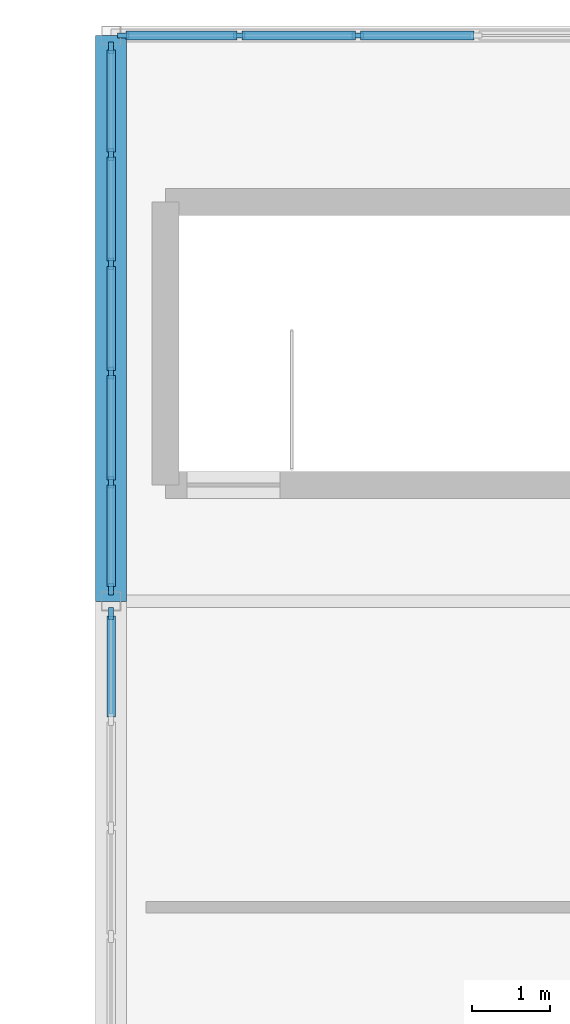
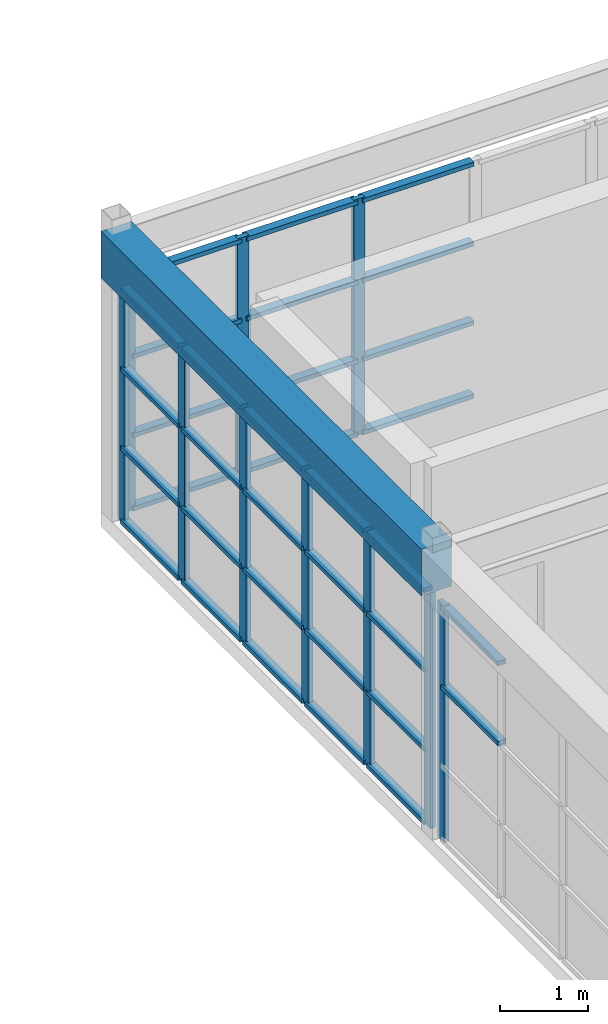
# One storey, part 9 of 19: 44 members, 1 beam, 3 elements without a shape of their own.
"""IFC4 building model written with IfcOpenShell, lengths in metres."""

from ifc_helpers import new_model, si_unit, direction, frame, origin, origin_2d, place, context, subcontext, project, spatial, rectangle, extrude, material, layer, layer_set, material_profile, profile_set, type_object, element, aggregate, save


model = new_model("IFC4")

# Units and contexts
model_context = context("Model", 3, precision=1e-05, world=origin(), true_north=direction((0.0, 1.0)))
body_context = subcontext(model_context, "Body", "Model", "MODEL_VIEW")
ifc_project = project(units=[si_unit("LENGTHUNIT", "METRE"), si_unit("AREAUNIT", "SQUARE_METRE"), si_unit("VOLUMEUNIT", "CUBIC_METRE"), si_unit("PLANEANGLEUNIT", "RADIAN"), si_unit("MASSUNIT", "GRAM", prefix="KILO")], contexts=[model_context])

# Site, building, storey
site_placement = place(None, origin())
site = spatial("IfcSite", under=ifc_project, at=site_placement, CompositionType="ELEMENT")
building_placement = place(site_placement, origin())
building = spatial("IfcBuilding", under=site, at=building_placement, Name="Candilejo Ridge Gondola Terminal", CompositionType="ELEMENT")
storey_placement = place(building_placement, frame((0.0, 0.0, 22.800048828125)))
storey = spatial("IfcBuildingStorey", under=building, at=storey_placement, Name="L05", CompositionType="ELEMENT", Elevation=22.800048828125)

# Curtain wall, member
ifc_material_1 = material(Name="Anodised aluminium AA 6063-T6", Category="aluminium")
ifc_layer_1 = layer(ifc_material_1, 0.169921875)
ifc_layer_set_1 = layer_set([ifc_layer_1], Name="ARC-CW-TOWER-3000-700X329")
curtain_wall_type_1 = type_object("IfcCurtainWallType", Name="ARC-CW-TOWER-3000-700X329", PredefinedType="NOTDEFINED", material=ifc_layer_set_1)
curtain_wall_1_placement = place(storey_placement, origin())
curtain_wall_1 = element("IfcCurtainWall", 1, at=curtain_wall_1_placement, inside=storey, type_object=curtain_wall_type_1, Name="Curtain wall V5 L05-228", PredefinedType="NOTDEFINED")
ifc_material_2 = material(Name="Anodised aluminium AA 6063-T6", Category="aluminium")
ifc_material_profile_1 = material_profile(ifc_material_2, rectangle(XDim=0.06494140625, YDim=0.14990234375, at=origin_2d()))
ifc_profile_set_1 = profile_set([ifc_material_profile_1], Name="Anodised aluminium AA 6063-T6")
member_type_1 = type_object("IfcMemberType", Name="ARC-CW-MULLION-150", PredefinedType="MULLION", material=ifc_profile_set_1)
member_1_placement = place(storey_placement, frame((150.0, 113.392578125, 0.0), z_axis=(0.0, 0.0, 1.0), x_axis=(-1.0, 0.0, 0.0)))
member_1 = element("IfcMember", 2, at=member_1_placement, type_object=member_type_1, Name="CW-70X32 mullion 6", PredefinedType="MULLION", context=body_context, shape_type="SweptSolid", body=[
    extrude(rectangle(XDim=0.06494140625, YDim=0.14990234375, at=origin_2d()), origin(), (0.0, 0.0, 1.0), 3.2900390625),
])

# Curtain wall, members
ifc_material_3 = material(Name="Anodised aluminium AA 6063-T6", Category="aluminium")
ifc_layer_2 = layer(ifc_material_3, 0.169921875)
ifc_layer_set_2 = layer_set([ifc_layer_2], Name="ARC-CW-TOWER-3000-705X329")
curtain_wall_type_2 = type_object("IfcCurtainWallType", Name="ARC-CW-TOWER-3000-705X329", PredefinedType="NOTDEFINED", material=ifc_layer_set_2)
curtain_wall_2_placement = place(storey_placement, origin())
curtain_wall_2 = element("IfcCurtainWall", 3, at=curtain_wall_2_placement, inside=storey, type_object=curtain_wall_type_2, Name="Curtain wall V5 L05-230", PredefinedType="NOTDEFINED")
member_2_placement = place(storey_placement, frame((150.0, 113.70751953125, 0.0), z_axis=(0.0, 0.0, 1.0), x_axis=(-1.0, 0.0, 0.0)))
member_2 = element("IfcMember", 4, at=member_2_placement, type_object=member_type_1, Name="CW-70X32 mullion 1", PredefinedType="MULLION", context=body_context, shape_type="SweptSolid", body=[
    extrude(rectangle(XDim=0.06494140625, YDim=0.14990234375, at=origin_2d()), origin(), (0.0, 0.0, 1.0), 3.2900390625),
])
member_3_placement = place(storey_placement, frame((150.0, 115.0849609375, 0.0), z_axis=(0.0, 0.0, 1.0), x_axis=(-1.0, 0.0, 0.0)))
member_3 = element("IfcMember", 5, at=member_3_placement, type_object=member_type_1, Name="CW-70X32 mullion 2", PredefinedType="MULLION", context=body_context, shape_type="SweptSolid", body=[
    extrude(rectangle(XDim=0.06494140625, YDim=0.14990234375, at=origin_2d()), origin(), (0.0, 0.0, 1.0), 3.2900390625),
])
member_4_placement = place(storey_placement, frame((150.0, 116.4951171875, 0.0), z_axis=(0.0, 0.0, 1.0), x_axis=(-1.0, 0.0, 0.0)))
member_4 = element("IfcMember", 6, at=member_4_placement, type_object=member_type_1, Name="CW-70X32 mullion 3", PredefinedType="MULLION", context=body_context, shape_type="SweptSolid", body=[
    extrude(rectangle(XDim=0.06494140625, YDim=0.14990234375, at=origin_2d()), origin(), (0.0, 0.0, 1.0), 3.2900390625),
])
member_5_placement = place(storey_placement, frame((150.0, 117.905029296875, 0.0), z_axis=(0.0, 0.0, 1.0), x_axis=(-1.0, 0.0, 0.0)))
member_5 = element("IfcMember", 7, at=member_5_placement, type_object=member_type_1, Name="CW-70X32 mullion 4", PredefinedType="MULLION", context=body_context, shape_type="SweptSolid", body=[
    extrude(rectangle(XDim=0.06494140625, YDim=0.14990234375, at=origin_2d()), origin(), (0.0, 0.0, 1.0), 3.2900390625),
])
member_6_placement = place(storey_placement, frame((150.0, 119.31494140625, 0.0), z_axis=(0.0, 0.0, 1.0), x_axis=(-1.0, 0.0, 0.0)))
member_6 = element("IfcMember", 8, at=member_6_placement, type_object=member_type_1, Name="CW-70X32 mullion 5", PredefinedType="MULLION", context=body_context, shape_type="SweptSolid", body=[
    extrude(rectangle(XDim=0.06494140625, YDim=0.14990234375, at=origin_2d()), origin(), (0.0, 0.0, 1.0), 3.2900390625),
])
member_7_placement = place(storey_placement, frame((150.0, 120.6923828125, 0.0), z_axis=(0.0, 0.0, 1.0), x_axis=(-1.0, 0.0, 0.0)))
member_7 = element("IfcMember", 9, at=member_7_placement, type_object=member_type_1, Name="CW-70X32 mullion 6", PredefinedType="MULLION", context=body_context, shape_type="SweptSolid", body=[
    extrude(rectangle(XDim=0.06494140625, YDim=0.14990234375, at=origin_2d()), origin(), (0.0, 0.0, 1.0), 3.2900390625),
])

ifc_material_4 = material(Name="Anodised aluminium AA 6063-T6", Category="aluminium")
ifc_layer_3 = layer(ifc_material_4, 0.169921875)
ifc_layer_set_3 = layer_set([ifc_layer_3], Name="ARC-CW-TOWER-3000-1835X329")
curtain_wall_type_3 = type_object("IfcCurtainWallType", Name="ARC-CW-TOWER-3000-1835X329", PredefinedType="NOTDEFINED", material=ifc_layer_set_3)
curtain_wall_3_placement = place(storey_placement, origin())
curtain_wall_3 = element("IfcCurtainWall", 10, at=curtain_wall_3_placement, inside=storey, type_object=curtain_wall_type_3, Name="Curtain wall V5 L05-233", PredefinedType="NOTDEFINED")
member_8_placement = place(storey_placement, frame((150.157470703125, 120.85009765625, 0.0), z_axis=(0.0, 0.0, 1.0), x_axis=(0.0, 1.0, 0.0)))
member_8 = element("IfcMember", 11, at=member_8_placement, type_object=member_type_1, Name="CW-183X32 mullion 1", PredefinedType="MULLION", context=body_context, shape_type="SweptSolid", body=[
    extrude(rectangle(XDim=0.06494140625, YDim=0.14990234375, at=origin_2d()), origin(), (0.0, 0.0, 1.0), 3.2900390625),
])
member_9_placement = place(storey_placement, frame((151.654052734375, 120.85009765625, 0.0), z_axis=(0.0, 0.0, 1.0), x_axis=(0.0, 1.0, 0.0)))
member_9 = element("IfcMember", 12, at=member_9_placement, type_object=member_type_1, Name="CW-183X32 mullion 2", PredefinedType="MULLION", context=body_context, shape_type="SweptSolid", body=[
    extrude(rectangle(XDim=0.06494140625, YDim=0.14990234375, at=origin_2d()), origin(), (0.0, 0.0, 1.0), 3.2900390625),
])
member_10_placement = place(storey_placement, frame((153.183349609375, 120.85009765625, 0.0), z_axis=(0.0, 0.0, 1.0), x_axis=(0.0, 1.0, 0.0)))
member_10 = element("IfcMember", 13, at=member_10_placement, type_object=member_type_1, Name="CW-183X32 mullion 3", PredefinedType="MULLION", context=body_context, shape_type="SweptSolid", body=[
    extrude(rectangle(XDim=0.06494140625, YDim=0.14990234375, at=origin_2d()), origin(), (0.0, 0.0, 1.0), 3.2900390625),
])

# Member
ifc_material_5 = material(Name="Anodised aluminium AA 6063-T6", Category="aluminium")
ifc_material_profile_2 = material_profile(ifc_material_5, rectangle(XDim=0.110107421875, YDim=0.06005859375, at=origin_2d()))
ifc_profile_set_2 = profile_set([ifc_material_profile_2], Name="Anodised aluminium AA 6063-T6")
member_type_2 = type_object("IfcMemberType", Name="ARC-CW-TRANSOM-110", PredefinedType="USERDEFINED", material=ifc_profile_set_2)
member_11_placement = place(storey_placement, frame((150.0, 112.0576171875, 2.14990234375), z_axis=(0.0, 1.0, 0.0), x_axis=(-1.0, 0.0, 0.0)))
member_11 = element("IfcMember", 14, at=member_11_placement, type_object=member_type_2, Name="CW-70X32 transom 5.3", ObjectType="TRANSOM", PredefinedType="USERDEFINED", context=body_context, shape_type="SweptSolid", body=[
    extrude(rectangle(XDim=0.110107421875, YDim=0.06005859375, at=origin_2d()), origin(), (0.0, 0.0, 1.0), 1.302490234375),
])

member_12_placement = place(storey_placement, frame((150.0, 112.0576171875, 3.260009765625), z_axis=(0.0, 1.0, 0.0), x_axis=(-1.0, 0.0, 0.0)))
member_12 = element("IfcMember", 15, at=member_12_placement, type_object=member_type_2, Name="CW-70X32 transom 5.4", ObjectType="TRANSOM", PredefinedType="USERDEFINED", context=body_context, shape_type="SweptSolid", body=[
    extrude(rectangle(XDim=0.110107421875, YDim=0.06005859375, at=origin_2d()), origin(), (0.0, 0.0, 1.0), 1.302490234375),
])

aggregate(curtain_wall_1, [member_1, member_11, member_12])

member_13_placement = place(storey_placement, frame((150.0, 113.739990234375, 0.030029296875), z_axis=(0.0, 1.0, 0.0), x_axis=(-1.0, 0.0, 0.0)))
member_13 = element("IfcMember", 16, at=member_13_placement, type_object=member_type_2, Name="CW-70X32 transom 1.1", ObjectType="TRANSOM", PredefinedType="USERDEFINED", context=body_context, shape_type="SweptSolid", body=[
    extrude(rectangle(XDim=0.110107421875, YDim=0.06005859375, at=origin_2d()), origin(), (0.0, 0.0, 1.0), 1.3125),
])

member_14_placement = place(storey_placement, frame((150.0, 113.739990234375, 1.050048828125), z_axis=(0.0, 1.0, 0.0), x_axis=(-1.0, 0.0, 0.0)))
member_14 = element("IfcMember", 17, at=member_14_placement, type_object=member_type_2, Name="CW-70X32 transom 1.2", ObjectType="TRANSOM", PredefinedType="USERDEFINED", context=body_context, shape_type="SweptSolid", body=[
    extrude(rectangle(XDim=0.110107421875, YDim=0.06005859375, at=origin_2d()), origin(), (0.0, 0.0, 1.0), 1.3125),
])

member_15_placement = place(storey_placement, frame((150.0, 113.739990234375, 2.14990234375), z_axis=(0.0, 1.0, 0.0), x_axis=(-1.0, 0.0, 0.0)))
member_15 = element("IfcMember", 18, at=member_15_placement, type_object=member_type_2, Name="CW-70X32 transom 1.3", ObjectType="TRANSOM", PredefinedType="USERDEFINED", context=body_context, shape_type="SweptSolid", body=[
    extrude(rectangle(XDim=0.110107421875, YDim=0.06005859375, at=origin_2d()), origin(), (0.0, 0.0, 1.0), 1.3125),
])

member_16_placement = place(storey_placement, frame((150.0, 113.739990234375, 3.260009765625), z_axis=(0.0, 1.0, 0.0), x_axis=(-1.0, 0.0, 0.0)))
member_16 = element("IfcMember", 19, at=member_16_placement, type_object=member_type_2, Name="CW-70X32 transom 1.4", ObjectType="TRANSOM", PredefinedType="USERDEFINED", context=body_context, shape_type="SweptSolid", body=[
    extrude(rectangle(XDim=0.110107421875, YDim=0.06005859375, at=origin_2d()), origin(), (0.0, 0.0, 1.0), 1.3125),
])

member_17_placement = place(storey_placement, frame((150.0, 115.117431640625, 0.030029296875), z_axis=(0.0, 1.0, 0.0), x_axis=(-1.0, 0.0, 0.0)))
member_17 = element("IfcMember", 20, at=member_17_placement, type_object=member_type_2, Name="CW-70X32 transom 2.1", ObjectType="TRANSOM", PredefinedType="USERDEFINED", context=body_context, shape_type="SweptSolid", body=[
    extrude(rectangle(XDim=0.110107421875, YDim=0.06005859375, at=origin_2d()), origin(), (0.0, 0.0, 1.0), 1.344970703125),
])

member_18_placement = place(storey_placement, frame((150.0, 115.117431640625, 1.050048828125), z_axis=(0.0, 1.0, 0.0), x_axis=(-1.0, 0.0, 0.0)))
member_18 = element("IfcMember", 21, at=member_18_placement, type_object=member_type_2, Name="CW-70X32 transom 2.2", ObjectType="TRANSOM", PredefinedType="USERDEFINED", context=body_context, shape_type="SweptSolid", body=[
    extrude(rectangle(XDim=0.110107421875, YDim=0.06005859375, at=origin_2d()), origin(), (0.0, 0.0, 1.0), 1.344970703125),
])

member_19_placement = place(storey_placement, frame((150.0, 115.117431640625, 2.14990234375), z_axis=(0.0, 1.0, 0.0), x_axis=(-1.0, 0.0, 0.0)))
member_19 = element("IfcMember", 22, at=member_19_placement, type_object=member_type_2, Name="CW-70X32 transom 2.3", ObjectType="TRANSOM", PredefinedType="USERDEFINED", context=body_context, shape_type="SweptSolid", body=[
    extrude(rectangle(XDim=0.110107421875, YDim=0.06005859375, at=origin_2d()), origin(), (0.0, 0.0, 1.0), 1.344970703125),
])

member_20_placement = place(storey_placement, frame((150.0, 115.117431640625, 3.260009765625), z_axis=(0.0, 1.0, 0.0), x_axis=(-1.0, 0.0, 0.0)))
member_20 = element("IfcMember", 23, at=member_20_placement, type_object=member_type_2, Name="CW-70X32 transom 2.4", ObjectType="TRANSOM", PredefinedType="USERDEFINED", context=body_context, shape_type="SweptSolid", body=[
    extrude(rectangle(XDim=0.110107421875, YDim=0.06005859375, at=origin_2d()), origin(), (0.0, 0.0, 1.0), 1.344970703125),
])

member_21_placement = place(storey_placement, frame((150.0, 116.527587890625, 0.030029296875), z_axis=(0.0, 1.0, 0.0), x_axis=(-1.0, 0.0, 0.0)))
member_21 = element("IfcMember", 24, at=member_21_placement, type_object=member_type_2, Name="CW-70X32 transom 3.1", ObjectType="TRANSOM", PredefinedType="USERDEFINED", context=body_context, shape_type="SweptSolid", body=[
    extrude(rectangle(XDim=0.110107421875, YDim=0.06005859375, at=origin_2d()), origin(), (0.0, 0.0, 1.0), 1.344970703125),
])

member_22_placement = place(storey_placement, frame((150.0, 116.527587890625, 1.050048828125), z_axis=(0.0, 1.0, 0.0), x_axis=(-1.0, 0.0, 0.0)))
member_22 = element("IfcMember", 25, at=member_22_placement, type_object=member_type_2, Name="CW-70X32 transom 3.2", ObjectType="TRANSOM", PredefinedType="USERDEFINED", context=body_context, shape_type="SweptSolid", body=[
    extrude(rectangle(XDim=0.110107421875, YDim=0.06005859375, at=origin_2d()), origin(), (0.0, 0.0, 1.0), 1.344970703125),
])

member_23_placement = place(storey_placement, frame((150.0, 116.527587890625, 2.14990234375), z_axis=(0.0, 1.0, 0.0), x_axis=(-1.0, 0.0, 0.0)))
member_23 = element("IfcMember", 26, at=member_23_placement, type_object=member_type_2, Name="CW-70X32 transom 3.3", ObjectType="TRANSOM", PredefinedType="USERDEFINED", context=body_context, shape_type="SweptSolid", body=[
    extrude(rectangle(XDim=0.110107421875, YDim=0.06005859375, at=origin_2d()), origin(), (0.0, 0.0, 1.0), 1.344970703125),
])

member_24_placement = place(storey_placement, frame((150.0, 116.527587890625, 3.260009765625), z_axis=(0.0, 1.0, 0.0), x_axis=(-1.0, 0.0, 0.0)))
member_24 = element("IfcMember", 27, at=member_24_placement, type_object=member_type_2, Name="CW-70X32 transom 3.4", ObjectType="TRANSOM", PredefinedType="USERDEFINED", context=body_context, shape_type="SweptSolid", body=[
    extrude(rectangle(XDim=0.110107421875, YDim=0.06005859375, at=origin_2d()), origin(), (0.0, 0.0, 1.0), 1.344970703125),
])

member_25_placement = place(storey_placement, frame((150.0, 117.9375, 0.030029296875), z_axis=(0.0, 1.0, 0.0), x_axis=(-1.0, 0.0, 0.0)))
member_25 = element("IfcMember", 28, at=member_25_placement, type_object=member_type_2, Name="CW-70X32 transom 4.1", ObjectType="TRANSOM", PredefinedType="USERDEFINED", context=body_context, shape_type="SweptSolid", body=[
    extrude(rectangle(XDim=0.110107421875, YDim=0.06005859375, at=origin_2d()), origin(), (0.0, 0.0, 1.0), 1.344970703125),
])

member_26_placement = place(storey_placement, frame((150.0, 117.9375, 1.050048828125), z_axis=(0.0, 1.0, 0.0), x_axis=(-1.0, 0.0, 0.0)))
member_26 = element("IfcMember", 29, at=member_26_placement, type_object=member_type_2, Name="CW-70X32 transom 4.2", ObjectType="TRANSOM", PredefinedType="USERDEFINED", context=body_context, shape_type="SweptSolid", body=[
    extrude(rectangle(XDim=0.110107421875, YDim=0.06005859375, at=origin_2d()), origin(), (0.0, 0.0, 1.0), 1.344970703125),
])

member_27_placement = place(storey_placement, frame((150.0, 117.9375, 2.14990234375), z_axis=(0.0, 1.0, 0.0), x_axis=(-1.0, 0.0, 0.0)))
member_27 = element("IfcMember", 30, at=member_27_placement, type_object=member_type_2, Name="CW-70X32 transom 4.3", ObjectType="TRANSOM", PredefinedType="USERDEFINED", context=body_context, shape_type="SweptSolid", body=[
    extrude(rectangle(XDim=0.110107421875, YDim=0.06005859375, at=origin_2d()), origin(), (0.0, 0.0, 1.0), 1.344970703125),
])

member_28_placement = place(storey_placement, frame((150.0, 117.9375, 3.260009765625), z_axis=(0.0, 1.0, 0.0), x_axis=(-1.0, 0.0, 0.0)))
member_28 = element("IfcMember", 31, at=member_28_placement, type_object=member_type_2, Name="CW-70X32 transom 4.4", ObjectType="TRANSOM", PredefinedType="USERDEFINED", context=body_context, shape_type="SweptSolid", body=[
    extrude(rectangle(XDim=0.110107421875, YDim=0.06005859375, at=origin_2d()), origin(), (0.0, 0.0, 1.0), 1.344970703125),
])

member_29_placement = place(storey_placement, frame((150.0, 119.347412109375, 0.030029296875), z_axis=(0.0, 1.0, 0.0), x_axis=(-1.0, 0.0, 0.0)))
member_29 = element("IfcMember", 32, at=member_29_placement, type_object=member_type_2, Name="CW-70X32 transom 5.1", ObjectType="TRANSOM", PredefinedType="USERDEFINED", context=body_context, shape_type="SweptSolid", body=[
    extrude(rectangle(XDim=0.110107421875, YDim=0.06005859375, at=origin_2d()), origin(), (0.0, 0.0, 1.0), 1.3125),
])

member_30_placement = place(storey_placement, frame((150.0, 119.347412109375, 1.050048828125), z_axis=(0.0, 1.0, 0.0), x_axis=(-1.0, 0.0, 0.0)))
member_30 = element("IfcMember", 33, at=member_30_placement, type_object=member_type_2, Name="CW-70X32 transom 5.2", ObjectType="TRANSOM", PredefinedType="USERDEFINED", context=body_context, shape_type="SweptSolid", body=[
    extrude(rectangle(XDim=0.110107421875, YDim=0.06005859375, at=origin_2d()), origin(), (0.0, 0.0, 1.0), 1.3125),
])

member_31_placement = place(storey_placement, frame((150.0, 119.347412109375, 2.14990234375), z_axis=(0.0, 1.0, 0.0), x_axis=(-1.0, 0.0, 0.0)))
member_31 = element("IfcMember", 34, at=member_31_placement, type_object=member_type_2, Name="CW-70X32 transom 5.3", ObjectType="TRANSOM", PredefinedType="USERDEFINED", context=body_context, shape_type="SweptSolid", body=[
    extrude(rectangle(XDim=0.110107421875, YDim=0.06005859375, at=origin_2d()), origin(), (0.0, 0.0, 1.0), 1.3125),
])

member_32_placement = place(storey_placement, frame((150.0, 119.347412109375, 3.260009765625), z_axis=(0.0, 1.0, 0.0), x_axis=(-1.0, 0.0, 0.0)))
member_32 = element("IfcMember", 35, at=member_32_placement, type_object=member_type_2, Name="CW-70X32 transom 5.4", ObjectType="TRANSOM", PredefinedType="USERDEFINED", context=body_context, shape_type="SweptSolid", body=[
    extrude(rectangle(XDim=0.110107421875, YDim=0.06005859375, at=origin_2d()), origin(), (0.0, 0.0, 1.0), 1.3125),
])

aggregate(curtain_wall_2, [member_2, member_3, member_4, member_5, member_6, member_7, member_13, member_14, member_15, member_16, member_17, member_18, member_19, member_20, member_21, member_22, member_23, member_24, member_25, member_26, member_27, member_28, member_29, member_30, member_31, member_32])

member_33_placement = place(storey_placement, frame((150.18994140625, 120.85009765625, 0.030029296875), z_axis=(1.0, 0.0, 0.0), x_axis=(0.0, 1.0, 0.0)))
member_33 = element("IfcMember", 36, at=member_33_placement, type_object=member_type_2, Name="CW-183X32 transom 1.1", ObjectType="TRANSOM", PredefinedType="USERDEFINED", context=body_context, shape_type="SweptSolid", body=[
    extrude(rectangle(XDim=0.110107421875, YDim=0.06005859375, at=origin_2d()), origin(), (0.0, 0.0, 1.0), 1.431640625),
])

member_34_placement = place(storey_placement, frame((150.18994140625, 120.85009765625, 1.050048828125), z_axis=(1.0, 0.0, 0.0), x_axis=(0.0, 1.0, 0.0)))
member_34 = element("IfcMember", 37, at=member_34_placement, type_object=member_type_2, Name="CW-183X32 transom 1.2", ObjectType="TRANSOM", PredefinedType="USERDEFINED", context=body_context, shape_type="SweptSolid", body=[
    extrude(rectangle(XDim=0.110107421875, YDim=0.06005859375, at=origin_2d()), origin(), (0.0, 0.0, 1.0), 1.431640625),
])

member_35_placement = place(storey_placement, frame((150.18994140625, 120.85009765625, 2.14990234375), z_axis=(1.0, 0.0, 0.0), x_axis=(0.0, 1.0, 0.0)))
member_35 = element("IfcMember", 38, at=member_35_placement, type_object=member_type_2, Name="CW-183X32 transom 1.3", ObjectType="TRANSOM", PredefinedType="USERDEFINED", context=body_context, shape_type="SweptSolid", body=[
    extrude(rectangle(XDim=0.110107421875, YDim=0.06005859375, at=origin_2d()), origin(), (0.0, 0.0, 1.0), 1.431640625),
])

member_36_placement = place(storey_placement, frame((150.18994140625, 120.85009765625, 3.260009765625), z_axis=(1.0, 0.0, 0.0), x_axis=(0.0, 1.0, 0.0)))
member_36 = element("IfcMember", 39, at=member_36_placement, type_object=member_type_2, Name="CW-183X32 transom 1.4", ObjectType="TRANSOM", PredefinedType="USERDEFINED", context=body_context, shape_type="SweptSolid", body=[
    extrude(rectangle(XDim=0.110107421875, YDim=0.06005859375, at=origin_2d()), origin(), (0.0, 0.0, 1.0), 1.431640625),
])

member_37_placement = place(storey_placement, frame((151.686767578125, 120.85009765625, 0.030029296875), z_axis=(1.0, 0.0, 0.0), x_axis=(0.0, 1.0, 0.0)))
member_37 = element("IfcMember", 40, at=member_37_placement, type_object=member_type_2, Name="CW-183X32 transom 2.1", ObjectType="TRANSOM", PredefinedType="USERDEFINED", context=body_context, shape_type="SweptSolid", body=[
    extrude(rectangle(XDim=0.110107421875, YDim=0.06005859375, at=origin_2d()), origin(), (0.0, 0.0, 1.0), 1.464111328125),
])

member_38_placement = place(storey_placement, frame((151.686767578125, 120.85009765625, 1.050048828125), z_axis=(1.0, 0.0, 0.0), x_axis=(0.0, 1.0, 0.0)))
member_38 = element("IfcMember", 41, at=member_38_placement, type_object=member_type_2, Name="CW-183X32 transom 2.2", ObjectType="TRANSOM", PredefinedType="USERDEFINED", context=body_context, shape_type="SweptSolid", body=[
    extrude(rectangle(XDim=0.110107421875, YDim=0.06005859375, at=origin_2d()), origin(), (0.0, 0.0, 1.0), 1.464111328125),
])

member_39_placement = place(storey_placement, frame((151.686767578125, 120.85009765625, 2.14990234375), z_axis=(1.0, 0.0, 0.0), x_axis=(0.0, 1.0, 0.0)))
member_39 = element("IfcMember", 42, at=member_39_placement, type_object=member_type_2, Name="CW-183X32 transom 2.3", ObjectType="TRANSOM", PredefinedType="USERDEFINED", context=body_context, shape_type="SweptSolid", body=[
    extrude(rectangle(XDim=0.110107421875, YDim=0.06005859375, at=origin_2d()), origin(), (0.0, 0.0, 1.0), 1.464111328125),
])

member_40_placement = place(storey_placement, frame((151.686767578125, 120.85009765625, 3.260009765625), z_axis=(1.0, 0.0, 0.0), x_axis=(0.0, 1.0, 0.0)))
member_40 = element("IfcMember", 43, at=member_40_placement, type_object=member_type_2, Name="CW-183X32 transom 2.4", ObjectType="TRANSOM", PredefinedType="USERDEFINED", context=body_context, shape_type="SweptSolid", body=[
    extrude(rectangle(XDim=0.110107421875, YDim=0.06005859375, at=origin_2d()), origin(), (0.0, 0.0, 1.0), 1.464111328125),
])

member_41_placement = place(storey_placement, frame((153.2158203125, 120.85009765625, 0.030029296875), z_axis=(1.0, 0.0, 0.0), x_axis=(0.0, 1.0, 0.0)))
member_41 = element("IfcMember", 44, at=member_41_placement, type_object=member_type_2, Name="CW-183X32 transom 3.1", ObjectType="TRANSOM", PredefinedType="USERDEFINED", context=body_context, shape_type="SweptSolid", body=[
    extrude(rectangle(XDim=0.110107421875, YDim=0.06005859375, at=origin_2d()), origin(), (0.0, 0.0, 1.0), 1.464111328125),
])

member_42_placement = place(storey_placement, frame((153.2158203125, 120.85009765625, 1.050048828125), z_axis=(1.0, 0.0, 0.0), x_axis=(0.0, 1.0, 0.0)))
member_42 = element("IfcMember", 45, at=member_42_placement, type_object=member_type_2, Name="CW-183X32 transom 3.2", ObjectType="TRANSOM", PredefinedType="USERDEFINED", context=body_context, shape_type="SweptSolid", body=[
    extrude(rectangle(XDim=0.110107421875, YDim=0.06005859375, at=origin_2d()), origin(), (0.0, 0.0, 1.0), 1.464111328125),
])

member_43_placement = place(storey_placement, frame((153.2158203125, 120.85009765625, 2.14990234375), z_axis=(1.0, 0.0, 0.0), x_axis=(0.0, 1.0, 0.0)))
member_43 = element("IfcMember", 46, at=member_43_placement, type_object=member_type_2, Name="CW-183X32 transom 3.3", ObjectType="TRANSOM", PredefinedType="USERDEFINED", context=body_context, shape_type="SweptSolid", body=[
    extrude(rectangle(XDim=0.110107421875, YDim=0.06005859375, at=origin_2d()), origin(), (0.0, 0.0, 1.0), 1.464111328125),
])

member_44_placement = place(storey_placement, frame((153.2158203125, 120.85009765625, 3.260009765625), z_axis=(1.0, 0.0, 0.0), x_axis=(0.0, 1.0, 0.0)))
member_44 = element("IfcMember", 47, at=member_44_placement, type_object=member_type_2, Name="CW-183X32 transom 3.4", ObjectType="TRANSOM", PredefinedType="USERDEFINED", context=body_context, shape_type="SweptSolid", body=[
    extrude(rectangle(XDim=0.110107421875, YDim=0.06005859375, at=origin_2d()), origin(), (0.0, 0.0, 1.0), 1.464111328125),
])

aggregate(curtain_wall_3, [member_8, member_9, member_10, member_33, member_34, member_35, member_36, member_37, member_38, member_39, member_40, member_41, member_42, member_43, member_44])

# Beam
ifc_material_6 = material(Name="Concrete f'c 35 MPa (C35/45)", Category="concrete")
ifc_material_profile_3 = material_profile(ifc_material_6, rectangle(XDim=0.39990234375, YDim=0.64990234375, at=origin_2d()))
ifc_profile_set_3 = profile_set([ifc_material_profile_3], Name="Concrete f'c 35 MPa (C35/45)")
beam_type = type_object("IfcBeamType", Name="STR-SPN-RC400X650", PredefinedType="SPANDREL", material=ifc_profile_set_3)
beam_placement = place(storey_placement, frame((150.0, 113.550048828125, 3.675048828125), z_axis=(0.0, 1.0, 0.0), x_axis=(-1.0, 0.0, 0.0)))
element("IfcBeam", 48, at=beam_placement, inside=storey, type_object=beam_type, Name="Beam Y V5 L05 Y19-Y20@X23", PredefinedType="SPANDREL", context=body_context, shape_type="SweptSolid", body=[
    extrude(rectangle(XDim=0.39990234375, YDim=0.64990234375, at=origin_2d()), origin(), (0.0, 0.0, 1.0), 7.300048828125),
])

save(model, "model.ifc")
